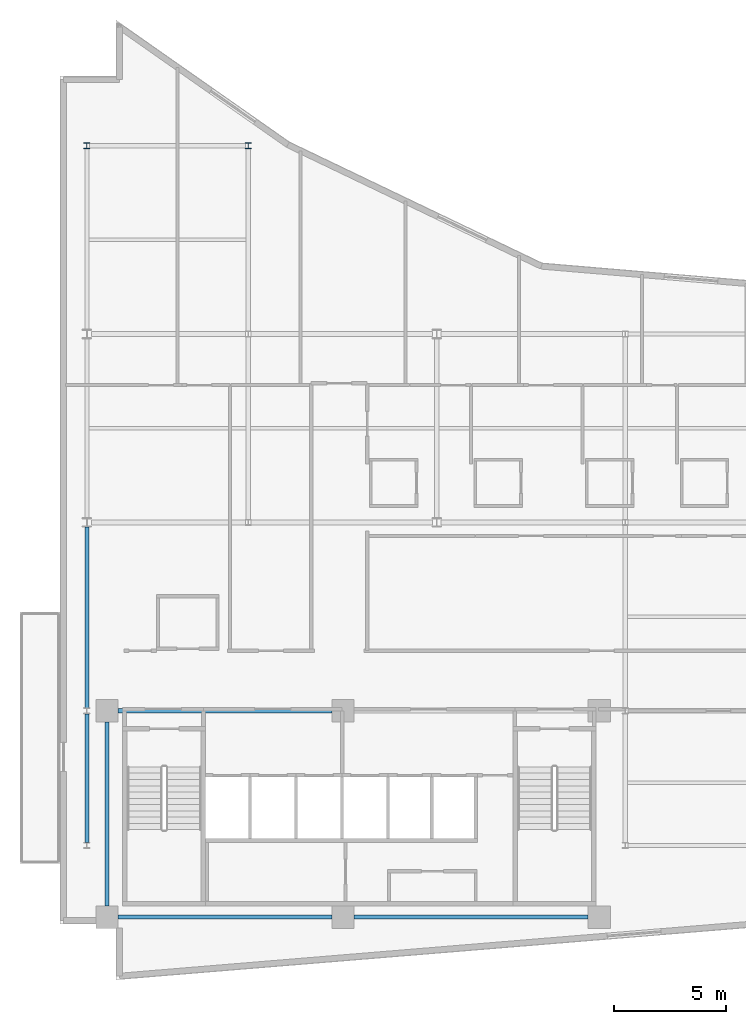
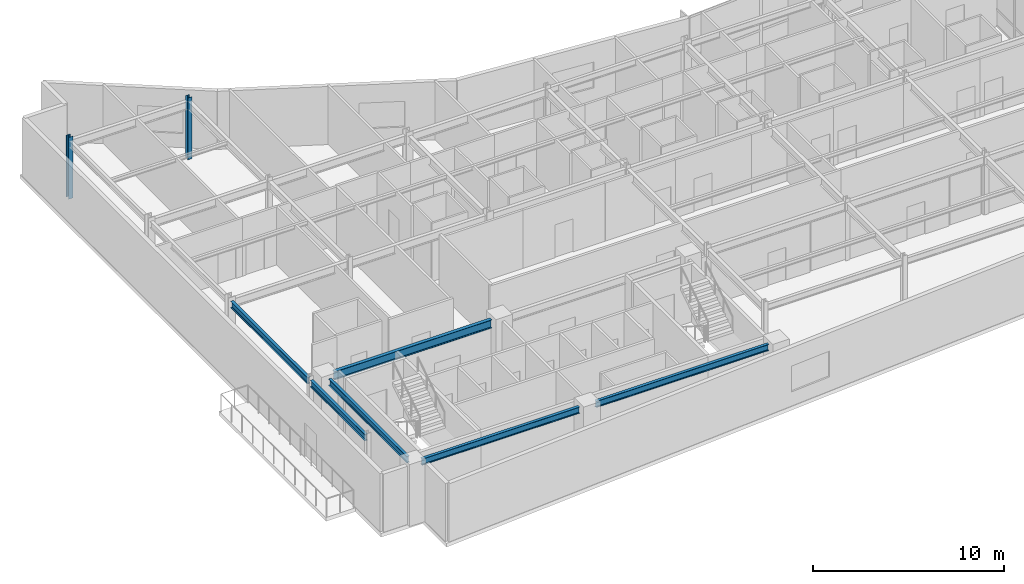
# One storey, part 3 of 17: 6 beams, 2 columns.
"""IFC4 building model written with IfcOpenShell, lengths in metres."""

from ifc_helpers import new_model, si_unit, direction, frame, origin, origin_2d, place, context, subcontext, project, spatial, i_section, extrude, material, material_profile, profile_set, type_object, element, save


model = new_model("IFC4")

# Units and contexts
model_context = context("Model", 3, precision=1e-05, world=origin(), true_north=direction((0.0, 1.0)))
body_context = subcontext(model_context, "Body", "Model", "MODEL_VIEW")
ifc_project = project(units=[si_unit("LENGTHUNIT", "METRE"), si_unit("AREAUNIT", "SQUARE_METRE"), si_unit("VOLUMEUNIT", "CUBIC_METRE"), si_unit("PLANEANGLEUNIT", "RADIAN"), si_unit("MASSUNIT", "GRAM", prefix="KILO")], contexts=[model_context])

# Site, building, storey
site_placement = place(None, origin())
site = spatial("IfcSite", under=ifc_project, at=site_placement, CompositionType="ELEMENT")
building_placement = place(site_placement, origin())
building = spatial("IfcBuilding", under=site, at=building_placement, Name="Varnakote Quay Hospital", CompositionType="ELEMENT")
storey_placement = place(building_placement, frame((0.0, 0.0, 219.75)))
storey = spatial("IfcBuildingStorey", under=building, at=storey_placement, Name="L54", CompositionType="ELEMENT", Elevation=219.75)

# Columns
ifc_material_1 = material(Name="Structural steel AS/NZS 3679.1 Grade 350 L0 (fy 340 MPa)", Category="steel")
ifc_material_profile_1 = material_profile(ifc_material_1, i_section(OverallWidth=0.256103515625, OverallDepth=0.260009765625, WebThickness=0.010498046875, FlangeThickness=0.017333984375, FilletRadius=0.0126953125, at=origin_2d()), Name="250UC89.5")
ifc_profile_set_1 = profile_set([ifc_material_profile_1], Name="Structural steel AS/NZS 3679.1 Grade 350 L0 (fy 340 MPa)")
column_type = type_object("IfcColumnType", Name="COL-STL-250UC89-5", PredefinedType="COLUMN", material=ifc_profile_set_1)
for number, where, z_axis, x_axis, name in (
    (1, (1.199951171875, 37.199951171875, 0.0), (0.0, 0.0, 1.0), (1.0, 0.0, 0.0), "L54 Structural Column C-1-37"),
    (2, (8.39990234375, 37.199951171875, 0.0), (0.0, 0.0, 1.0), (1.0, 0.0, 0.0), "L54 Structural Column C-8-37"),
):
    element("IfcColumn", number, at=place(storey_placement, frame(where, z_axis=z_axis, x_axis=x_axis)), inside=storey, type_object=column_type, Name=name, PredefinedType="COLUMN", context=body_context, shape_type="SweptSolid", body=[
        extrude(i_section(OverallWidth=0.256103515625, OverallDepth=0.260009765625, WebThickness=0.010498046875, FlangeThickness=0.017333984375, FilletRadius=0.0126953125, at=origin_2d()), origin(), (0.0, 0.0, 1.0), 3.949951171875),
    ])

# Beams
ifc_material_2 = material(Name="Structural steel AS/NZS 3679.1 Grade 350 L0 (fy 340 MPa)", Category="steel")
ifc_material_profile_2 = material_profile(ifc_material_2, i_section(OverallWidth=0.208984375, OverallDepth=0.532958984375, WebThickness=0.01025390625, FlangeThickness=0.015625, FilletRadius=0.013916015625, at=origin_2d()), Name="530UB92.4")
ifc_profile_set_2 = profile_set([ifc_material_profile_2], Name="Structural steel AS/NZS 3679.1 Grade 350 L0 (fy 340 MPa)")
beam_type_1 = type_object("IfcBeamType", Name="BM-STL-530UB92-4", PredefinedType="BEAM", material=ifc_profile_set_2)
beam_1_placement = place(storey_placement, frame((2.60009765625, 12.0, 3.443603515625), z_axis=(1.0, 0.0, 0.0), x_axis=(0.0, 1.0, 0.0)))
element("IfcBeam", 3, at=beam_1_placement, inside=storey, type_object=beam_type_1, Name="L54 Primary Floor Beam", PredefinedType="BEAM", context=body_context, shape_type="SweptSolid", body=[
    extrude(i_section(OverallWidth=0.208984375, OverallDepth=0.532958984375, WebThickness=0.01025390625, FlangeThickness=0.015625, FilletRadius=0.013916015625, at=origin_2d()), origin(), (0.0, 0.0, 1.0), 9.52001953125),
])
ifc_material_3 = material(Name="Structural steel AS/NZS 3679.1 Grade 350 L0 (fy 340 MPa)", Category="steel")
ifc_material_profile_3 = material_profile(ifc_material_3, i_section(OverallWidth=0.177978515625, OverallDepth=0.403076171875, WebThickness=0.007568359375, FlangeThickness=0.010986328125, FilletRadius=0.011474609375, at=origin_2d()), Name="410UB53.7")
ifc_profile_set_3 = profile_set([ifc_material_profile_3], Name="Structural steel AS/NZS 3679.1 Grade 350 L0 (fy 340 MPa)")
beam_type_2 = type_object("IfcBeamType", Name="SPN-STL-410UB53-7", PredefinedType="SPANDREL", material=ifc_profile_set_3)
beam_2_placement = place(storey_placement, frame((1.199951171875, 6.1298828125, 3.508544921875), z_axis=(0.0, 1.0, 0.0), x_axis=(-1.0, 0.0, 0.0)))
element("IfcBeam", 4, at=beam_2_placement, inside=storey, type_object=beam_type_2, Name="L54 Perimeter Spandrel Beam", PredefinedType="SPANDREL", context=body_context, shape_type="SweptSolid", body=[
    extrude(i_section(OverallWidth=0.177978515625, OverallDepth=0.403076171875, WebThickness=0.007568359375, FlangeThickness=0.010986328125, FilletRadius=0.011474609375, at=origin_2d()), origin(), (0.0, 0.0, 1.0), 5.740234375),
])
beam_3_placement = place(storey_placement, frame((1.199951171875, 12.1298828125, 3.508544921875), z_axis=(0.0, 1.0, 0.0), x_axis=(-1.0, 0.0, 0.0)))
element("IfcBeam", 5, at=beam_3_placement, inside=storey, type_object=beam_type_2, Name="L54 Perimeter Spandrel Beam", PredefinedType="SPANDREL", context=body_context, shape_type="SweptSolid", body=[
    extrude(i_section(OverallWidth=0.177978515625, OverallDepth=0.403076171875, WebThickness=0.007568359375, FlangeThickness=0.010986328125, FilletRadius=0.011474609375, at=origin_2d()), origin(), (0.0, 0.0, 1.0), 8.068115234375),
])
beam_4_placement = place(storey_placement, frame((2.10009765625, 3.300048828125, 3.508544921875), z_axis=(0.0, 1.0, 0.0), x_axis=(-1.0, 0.0, 0.0)))
element("IfcBeam", 6, at=beam_4_placement, inside=storey, type_object=beam_type_2, Name="L54 Perimeter Spandrel Beam", PredefinedType="SPANDREL", context=body_context, shape_type="SweptSolid", body=[
    extrude(i_section(OverallWidth=0.177978515625, OverallDepth=0.403076171875, WebThickness=0.007568359375, FlangeThickness=0.010986328125, FilletRadius=0.011474609375, at=origin_2d()), origin(), (0.0, 0.0, 1.0), 8.199951171875),
])
ifc_material_4 = material(Name="Structural steel AS/NZS 3679.1 Grade 350 L0 (fy 340 MPa)", Category="steel")
ifc_material_profile_4 = material_profile(ifc_material_4, i_section(OverallWidth=0.177978515625, OverallDepth=0.406005859375, WebThickness=0.0078125, FlangeThickness=0.0126953125, FilletRadius=0.011474609375, at=origin_2d()), Name="410UB59.7")
ifc_profile_set_4 = profile_set([ifc_material_profile_4], Name="Structural steel AS/NZS 3679.1 Grade 350 L0 (fy 340 MPa)")
beam_type_3 = type_object("IfcBeamType", Name="SPN-STL-410UB59-7", PredefinedType="SPANDREL", material=ifc_profile_set_4)
beam_5_placement = place(storey_placement, frame((2.60009765625, 2.800048828125, 3.507080078125), z_axis=(1.0, 0.0, 0.0), x_axis=(0.0, 1.0, 0.0)))
element("IfcBeam", 7, at=beam_5_placement, inside=storey, type_object=beam_type_3, Name="L54 Perimeter Spandrel Beam", PredefinedType="SPANDREL", context=body_context, shape_type="SweptSolid", body=[
    extrude(i_section(OverallWidth=0.177978515625, OverallDepth=0.406005859375, WebThickness=0.0078125, FlangeThickness=0.0126953125, FilletRadius=0.011474609375, at=origin_2d()), origin(), (0.0, 0.0, 1.0), 9.52001953125),
])
beam_6_placement = place(storey_placement, frame((13.1201171875, 2.800048828125, 3.507080078125), z_axis=(1.0, 0.0, 0.0), x_axis=(0.0, 1.0, 0.0)))
element("IfcBeam", 8, at=beam_6_placement, inside=storey, type_object=beam_type_3, Name="L54 Perimeter Spandrel Beam", PredefinedType="SPANDREL", context=body_context, shape_type="SweptSolid", body=[
    extrude(i_section(OverallWidth=0.177978515625, OverallDepth=0.406005859375, WebThickness=0.0078125, FlangeThickness=0.0126953125, FilletRadius=0.011474609375, at=origin_2d()), origin(), (0.0, 0.0, 1.0), 10.429931640625),
])

save(model, "model.ifc")
